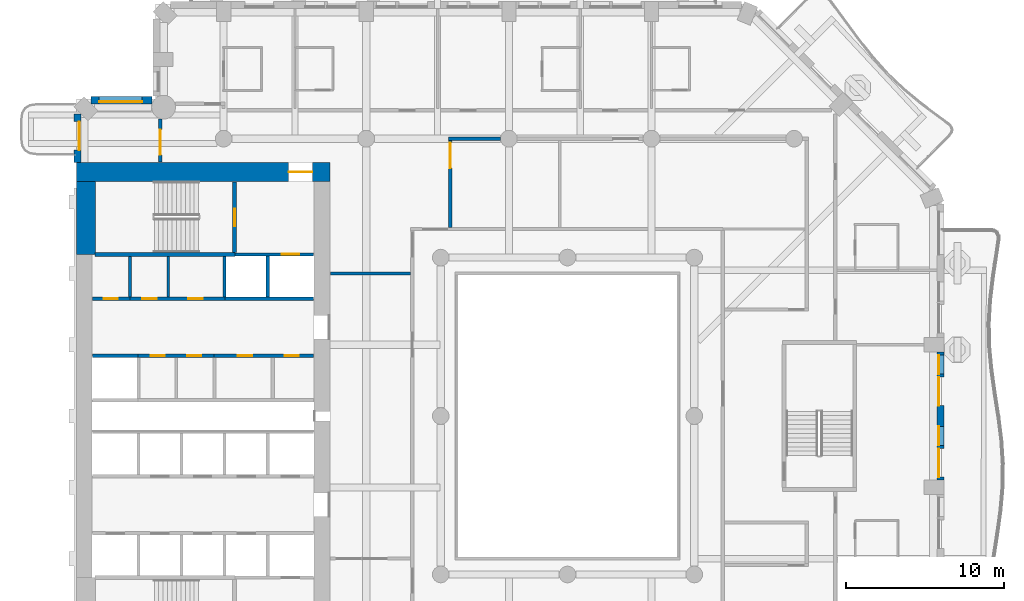
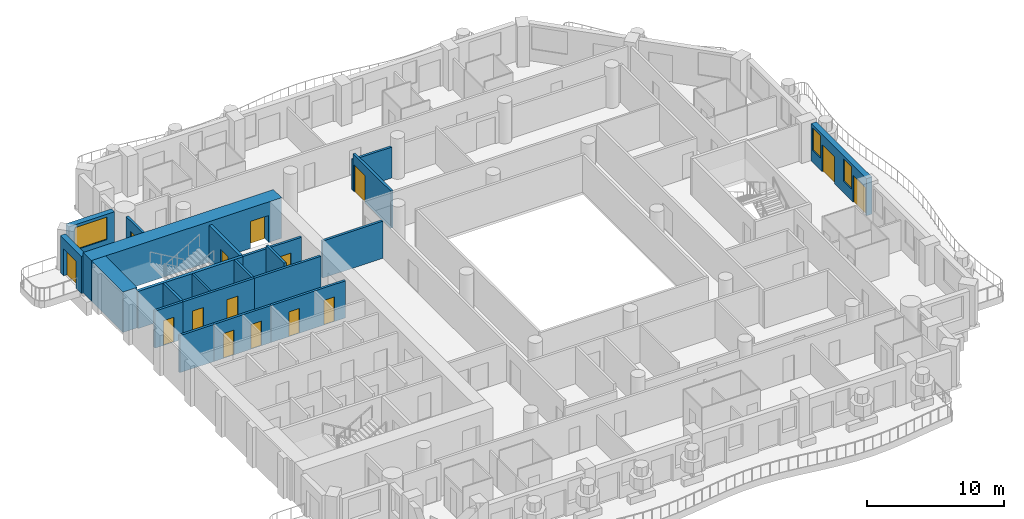
# One storey, part 7 of 20: 22 walls, 15 doors, 3 windows, 18 openings.
"""IFC4 building model written with IfcOpenShell, lengths in metres."""

from ifc_helpers import new_model, si_unit, direction, frame, frame_2d, origin, place, context, subcontext, project, spatial, rectangle, extrude, material, layer, layer_set, type_object, element, fill, save


model = new_model("IFC4")

# Units and contexts
model_context = context("Model", 3, precision=1e-05, world=origin(), true_north=direction((0.0, 1.0)))
body_context = subcontext(model_context, "Body", "Model", "MODEL_VIEW")
ifc_project = project(units=[si_unit("LENGTHUNIT", "METRE"), si_unit("AREAUNIT", "SQUARE_METRE"), si_unit("VOLUMEUNIT", "CUBIC_METRE"), si_unit("PLANEANGLEUNIT", "RADIAN"), si_unit("MASSUNIT", "GRAM", prefix="KILO")], contexts=[model_context])

# Site, building, storey
site_placement = place(None, origin())
site = spatial("IfcSite", under=ifc_project, at=site_placement, CompositionType="ELEMENT")
building_placement = place(site_placement, origin())
building = spatial("IfcBuilding", under=site, at=building_placement, Name="Cypress Arch Tower", CompositionType="ELEMENT")
storey_placement = place(building_placement, frame((0.0, 0.0, 123.89990234375)))
storey = spatial("IfcBuildingStorey", under=building, at=storey_placement, Name="L26", CompositionType="ELEMENT", Elevation=123.89990234375)

# Wall, opening, door
ifc_material_1 = material(Name="Brick (red buff blend)", Category="masonry")
ifc_layer_1 = layer(ifc_material_1, 0.449951171875)
ifc_layer_set_1 = layer_set([ifc_layer_1], Name="Brick pier and spandrel wall BW450")
wall_type_1 = type_object("IfcWallType", Name="Brick pier and spandrel wall BW450", PredefinedType="SOLIDWALL", material=ifc_layer_set_1)
wall_1_placement = place(storey_placement, frame((-29.925048828125, 19.063720703125, 0.0), z_axis=(0.0, 0.0, 1.0), x_axis=(0.0, -1.0, 0.0)))
wall_1 = element("IfcWall", 1, at=wall_1_placement, inside=storey, type_object=wall_type_1, Name="Brick wall L26 A00.0", PredefinedType="SOLIDWALL", context=body_context, shape_type="SweptSolid", body=[
    extrude(rectangle(XDim=3.063720703125, YDim=0.449951171875, at=frame_2d((1.53173828125, 0.0))), origin(), (0.0, 0.0, 1.0), 3.300048828125),
])
opening_1_placement = place(wall_1_placement, frame((0.481689453125, 0.0, 0.0)))
opening_1 = element("IfcOpeningElement", 2, at=opening_1_placement, cuts=wall_1, Name="Opening D-L26-A00.0.1", PredefinedType="OPENING", context=body_context, shape_type="SweptSolid", body=[
    extrude(rectangle(XDim=1.800048828125, YDim=2.39990234375, at=frame_2d((0.89990234375, 1.199951171875))), frame((0.0, 0.23486328125, 0.0), z_axis=(0.0, -1.0, 0.0), x_axis=(1.0, 0.0, 0.0)), (0.0, 0.0, 1.0), 0.469970703125),
])
ifc_material_2 = material(Name="Anodised aluminium, bronze finish, laminated low-emissivity double glazing, large-missile impact rated", Category="aluminium")
door_type_1 = type_object("IfcDoorType", Name="Balcony sliding door 1800x2400", OperationType="SLIDING_TO_LEFT", PredefinedType="DOOR", material=ifc_material_2)
door_1_placement = place(opening_1_placement, origin())
door_1 = element("IfcDoor", 3, at=door_1_placement, inside=storey, type_object=door_type_1, Name="Balcony door L26 A00.0.1", OperationType="SLIDING_TO_LEFT", OverallHeight=2.39990234375, OverallWidth=1.800048828125, PredefinedType="DOOR", context=body_context, shape_type="SweptSolid", body=[
    extrude(rectangle(XDim=1.800048828125, YDim=2.39990234375, at=frame_2d((0.89990234375, 1.199951171875))), frame((0.0, 0.1298828125, 0.0), z_axis=(0.0, -1.0, 0.0), x_axis=(1.0, 0.0, 0.0)), (0.0, 0.0, 1.0), 0.050048828125),
])
fill(opening_1, door_1)

# Wall, openings, doors, windows
wall_2_placement = place(storey_placement, frame((24.52490234375, -4.050048828125, 0.0), z_axis=(0.0, 0.0, 1.0), x_axis=(0.0, 1.0, 0.0)))
wall_2 = element("IfcWall", 4, at=wall_2_placement, inside=storey, type_object=wall_type_1, Name="Brick wall L26 A06.2", PredefinedType="SOLIDWALL", context=body_context, shape_type="SweptSolid", body=[
    extrude(rectangle(XDim=8.10009765625, YDim=0.449951171875, at=frame_2d((4.050048828125, 0.0))), origin(), (0.0, 0.0, 1.0), 3.300048828125),
])
opening_2_placement = place(wall_2_placement, frame((0.199951171875, 0.0, 0.0)))
opening_2 = element("IfcOpeningElement", 5, at=opening_2_placement, cuts=wall_2, Name="Opening D-L26-A06.2.1", PredefinedType="OPENING", context=body_context, shape_type="SweptSolid", body=[
    extrude(rectangle(XDim=1.800048828125, YDim=2.39990234375, at=frame_2d((0.89990234375, 1.199951171875))), frame((0.0, 0.23486328125, 0.0), z_axis=(0.0, -1.0, 0.0), x_axis=(1.0, 0.0, 0.0)), (0.0, 0.0, 1.0), 0.469970703125),
])
opening_3_placement = place(wall_2_placement, frame((2.199951171875, 0.0, 1.050048828125)))
opening_3 = element("IfcOpeningElement", 6, at=opening_3_placement, cuts=wall_2, Name="Opening W120HD", PredefinedType="OPENING", context=body_context, shape_type="SweptSolid", body=[
    extrude(rectangle(XDim=1.199951171875, YDim=2.0, at=frame_2d((0.60009765625, 1.0))), frame((0.0, 0.23486328125, 0.0), z_axis=(0.0, -1.0, 0.0), x_axis=(1.0, 0.0, 0.0)), (0.0, 0.0, 1.0), 0.469970703125),
])
opening_4_placement = place(wall_2_placement, frame((4.699951171875, 0.0, 0.0)))
opening_4 = element("IfcOpeningElement", 7, at=opening_4_placement, cuts=wall_2, Name="Opening D-L26-A06.2.2", PredefinedType="OPENING", context=body_context, shape_type="SweptSolid", body=[
    extrude(rectangle(XDim=1.800048828125, YDim=2.39990234375, at=frame_2d((0.89990234375, 1.199951171875))), frame((0.0, 0.23486328125, 0.0), z_axis=(0.0, -1.0, 0.0), x_axis=(1.0, 0.0, 0.0)), (0.0, 0.0, 1.0), 0.469970703125),
])
opening_5_placement = place(wall_2_placement, frame((6.699951171875, 0.0, 1.050048828125)))
opening_5 = element("IfcOpeningElement", 8, at=opening_5_placement, cuts=wall_2, Name="Opening W120HD", PredefinedType="OPENING", context=body_context, shape_type="SweptSolid", body=[
    extrude(rectangle(XDim=1.199951171875, YDim=2.0, at=frame_2d((0.60009765625, 1.0))), frame((0.0, 0.23486328125, 0.0), z_axis=(0.0, -1.0, 0.0), x_axis=(1.0, 0.0, 0.0)), (0.0, 0.0, 1.0), 0.469970703125),
])
door_2_placement = place(opening_2_placement, origin())
door_2 = element("IfcDoor", 9, at=door_2_placement, inside=storey, type_object=door_type_1, Name="Balcony door L26 A06.2.1", OperationType="SLIDING_TO_LEFT", OverallHeight=2.39990234375, OverallWidth=1.800048828125, PredefinedType="DOOR", context=body_context, shape_type="SweptSolid", body=[
    extrude(rectangle(XDim=1.800048828125, YDim=2.39990234375, at=frame_2d((0.89990234375, 1.199951171875))), frame((0.0, 0.1298828125, 0.0), z_axis=(0.0, -1.0, 0.0), x_axis=(1.0, 0.0, 0.0)), (0.0, 0.0, 1.0), 0.050048828125),
])
fill(opening_2, door_2)
door_3_placement = place(opening_4_placement, origin())
door_3 = element("IfcDoor", 10, at=door_3_placement, inside=storey, type_object=door_type_1, Name="Balcony door L26 A06.2.2", OperationType="SLIDING_TO_LEFT", OverallHeight=2.39990234375, OverallWidth=1.800048828125, PredefinedType="DOOR", context=body_context, shape_type="SweptSolid", body=[
    extrude(rectangle(XDim=1.800048828125, YDim=2.39990234375, at=frame_2d((0.89990234375, 1.199951171875))), frame((0.0, 0.1298828125, 0.0), z_axis=(0.0, -1.0, 0.0), x_axis=(1.0, 0.0, 0.0)), (0.0, 0.0, 1.0), 0.050048828125),
])
fill(opening_4, door_3)
ifc_material_3 = material(Name="Anodised aluminium, bronze finish, laminated low-emissivity double glazing, large-missile impact rated", Category="aluminium")
window_type_1 = type_object("IfcWindowType", Name="Window Hotel 1200x2000 debris-rated", PartitioningType="SINGLE_PANEL", PredefinedType="WINDOW", material=ifc_material_3)
window_1_placement = place(opening_3_placement, origin())
window_1 = element("IfcWindow", 11, at=window_1_placement, inside=storey, type_object=window_type_1, Name="Window L26 A06.2.1", OverallHeight=2.0, OverallWidth=1.199951171875, PartitioningType="SINGLE_PANEL", PredefinedType="WINDOW", context=body_context, shape_type="SweptSolid", body=[
    extrude(rectangle(XDim=1.199951171875, YDim=2.0, at=frame_2d((0.60009765625, 1.0))), frame((0.0, 0.135009765625, 0.0), z_axis=(0.0, -1.0, 0.0), x_axis=(1.0, 0.0, 0.0)), (0.0, 0.0, 1.0), 0.06005859375),
])
fill(opening_3, window_1)
window_2_placement = place(opening_5_placement, origin())
window_2 = element("IfcWindow", 12, at=window_2_placement, inside=storey, type_object=window_type_1, Name="Window L26 A06.2.2", OverallHeight=2.0, OverallWidth=1.199951171875, PartitioningType="SINGLE_PANEL", PredefinedType="WINDOW", context=body_context, shape_type="SweptSolid", body=[
    extrude(rectangle(XDim=1.199951171875, YDim=2.0, at=frame_2d((0.60009765625, 1.0))), frame((0.0, 0.135009765625, 0.0), z_axis=(0.0, -1.0, 0.0), x_axis=(1.0, 0.0, 0.0)), (0.0, 0.0, 1.0), 0.06005859375),
])
fill(opening_5, window_2)

# Wall, opening, window
wall_3_placement = place(storey_placement, frame((-25.20703125, 19.925048828125, 0.0), z_axis=(0.0, 0.0, 1.0), x_axis=(-1.0, 0.0, 0.0)))
wall_3 = element("IfcWall", 13, at=wall_3_placement, inside=storey, type_object=wall_type_1, Name="Brick wall L26 A10.0", PredefinedType="SOLIDWALL", context=body_context, shape_type="SweptSolid", body=[
    extrude(rectangle(XDim=3.856689453125, YDim=0.449951171875, at=frame_2d((1.92822265625, 0.0))), origin(), (0.0, 0.0, 1.0), 3.300048828125),
])
opening_6_placement = place(wall_3_placement, frame((0.64306640625, 0.0, 1.050048828125)))
opening_6 = element("IfcOpeningElement", 14, at=opening_6_placement, cuts=wall_3, Name="Opening W270H", PredefinedType="OPENING", context=body_context, shape_type="SweptSolid", body=[
    extrude(rectangle(XDim=2.699951171875, YDim=2.0, at=frame_2d((1.35009765625, 1.0))), frame((0.0, 0.23486328125, 0.0), z_axis=(0.0, -1.0, 0.0), x_axis=(1.0, 0.0, 0.0)), (0.0, 0.0, 1.0), 0.469970703125),
])
ifc_material_4 = material(Name="Anodised aluminium, bronze finish, clear low-emissivity double glazing", Category="aluminium")
window_type_2 = type_object("IfcWindowType", Name="Window Hotel 2700x2000", PartitioningType="SINGLE_PANEL", PredefinedType="WINDOW", material=ifc_material_4)
window_3_placement = place(opening_6_placement, origin())
window_3 = element("IfcWindow", 15, at=window_3_placement, inside=storey, type_object=window_type_2, Name="Window L26 A10.0.1", OverallHeight=2.0, OverallWidth=2.699951171875, PartitioningType="SINGLE_PANEL", PredefinedType="WINDOW", context=body_context, shape_type="SweptSolid", body=[
    extrude(rectangle(XDim=2.699951171875, YDim=2.0, at=frame_2d((1.35009765625, 1.0))), frame((0.0, 0.135009765625, 0.0), z_axis=(0.0, -1.0, 0.0), x_axis=(1.0, 0.0, 0.0)), (0.0, 0.0, 1.0), 0.06005859375),
])
fill(opening_6, window_3)

# Wall, opening, door
ifc_material_5 = material(Name="Concrete C80/95", Category="concrete")
ifc_layer_2 = layer(ifc_material_5, 1.199951171875)
ifc_layer_set_2 = layer_set([ifc_layer_2], Name="Core wall CW1200 C80/95")
wall_type_2 = type_object("IfcWallType", Name="Core wall CW1200 C80/95", PredefinedType="SHEAR", material=ifc_layer_set_2)
wall_4_placement = place(storey_placement, frame((-30.0, 15.39990234375, 0.0), z_axis=(0.0, 0.0, 1.0), x_axis=(1.0, 0.0, 0.0)))
wall_4 = element("IfcWall", 16, at=wall_4_placement, inside=storey, type_object=wall_type_2, Name="Core wall", PredefinedType="SHEAR", context=body_context, shape_type="SweptSolid", body=[
    extrude(rectangle(XDim=16.0, YDim=1.199951171875, at=frame_2d((8.0, 0.0))), origin(), (0.0, 0.0, 1.0), 3.60009765625),
])
opening_7_placement = place(wall_4_placement, frame((13.39990234375, 0.0, 0.0)))
opening_7 = element("IfcOpeningElement", 17, at=opening_7_placement, cuts=wall_4, Name="Opening D07", PredefinedType="OPENING", context=body_context, shape_type="SweptSolid", body=[
    extrude(rectangle(XDim=1.5, YDim=2.39990234375, at=frame_2d((0.75, 1.199951171875))), frame((0.0, 0.60986328125, 0.0), z_axis=(0.0, -1.0, 0.0), x_axis=(1.0, 0.0, 0.0)), (0.0, 0.0, 1.0), 1.219970703125),
])
ifc_material_6 = material(Name="Steel framed glazed door, fire resisting", Category="steel")
door_type_2 = type_object("IfcDoorType", Name="Lobby door D07 1500x2400", OperationType="DOUBLE_DOOR_SINGLE_SWING", PredefinedType="DOOR", material=ifc_material_6)
door_4_placement = place(opening_7_placement, origin())
door_4 = element("IfcDoor", 18, at=door_4_placement, inside=storey, type_object=door_type_2, Name="Lobby door", OperationType="DOUBLE_DOOR_SINGLE_SWING", OverallHeight=2.39990234375, OverallWidth=1.5, PredefinedType="DOOR", context=body_context, shape_type="SweptSolid", body=[
    extrude(rectangle(XDim=1.5, YDim=2.39990234375, at=frame_2d((0.75, 1.199951171875))), frame((0.0, 0.02490234375, 0.0), z_axis=(0.0, -1.0, 0.0), x_axis=(1.0, 0.0, 0.0)), (0.0, 0.0, 1.0), 0.050048828125),
])
fill(opening_7, door_4)

# Wall
wall_5_placement = place(storey_placement, frame((-29.39990234375, 10.199951171875, 0.0), z_axis=(0.0, 0.0, 1.0), x_axis=(0.0, 1.0, 0.0)))
element("IfcWall", 19, at=wall_5_placement, inside=storey, type_object=wall_type_2, Name="Core wall", PredefinedType="SHEAR", context=body_context, shape_type="SweptSolid", body=[
    extrude(rectangle(XDim=4.60009765625, YDim=1.199951171875, at=frame_2d((2.300048828125, 0.0))), origin(), (0.0, 0.0, 1.0), 3.60009765625),
])

# Wall, openings, doors
ifc_material_7 = material(Name="Concrete blockwork, plastered, rated", Category="masonry")
ifc_layer_3 = layer(ifc_material_7, 0.199951171875)
ifc_layer_set_3 = layer_set([ifc_layer_3], Name="Corridor wall FW200")
wall_type_3 = type_object("IfcWallType", Name="Corridor wall FW200", PredefinedType="PARTITIONING", material=ifc_layer_set_3)
wall_6_placement = place(storey_placement, frame((-26.6201171875, 7.39990234375, 0.0), z_axis=(0.0, 0.0, 1.0), x_axis=(1.0, 0.0, 0.0)))
wall_6 = element("IfcWall", 20, at=wall_6_placement, inside=storey, type_object=wall_type_3, Name="Corridor wall", PredefinedType="PARTITIONING", context=body_context, shape_type="SweptSolid", body=[
    extrude(rectangle(XDim=6.0, YDim=0.199951171875, at=frame_2d((3.0, 0.0))), origin(), (0.0, 0.0, 1.0), 3.300048828125),
])
opening_8_placement = place(wall_6_placement, frame((0.800048828125, 0.0, 0.0)))
opening_8 = element("IfcOpeningElement", 21, at=opening_8_placement, cuts=wall_6, Name="Opening D05", PredefinedType="OPENING", context=body_context, shape_type="SweptSolid", body=[
    extrude(rectangle(XDim=0.89990234375, YDim=2.199951171875, at=frame_2d((0.449951171875, 1.10009765625))), frame((0.0, 0.10986328125, 0.0), z_axis=(0.0, -1.0, 0.0), x_axis=(1.0, 0.0, 0.0)), (0.0, 0.0, 1.0), 0.219970703125),
])
opening_9_placement = place(wall_6_placement, frame((3.699951171875, 0.0, 0.0)))
opening_9 = element("IfcOpeningElement", 22, at=opening_9_placement, cuts=wall_6, Name="Opening D05", PredefinedType="OPENING", context=body_context, shape_type="SweptSolid", body=[
    extrude(rectangle(XDim=0.89990234375, YDim=2.199951171875, at=frame_2d((0.449951171875, 1.10009765625))), frame((0.0, 0.10986328125, 0.0), z_axis=(0.0, -1.0, 0.0), x_axis=(1.0, 0.0, 0.0)), (0.0, 0.0, 1.0), 0.219970703125),
])
ifc_material_8 = material(Name="Timber flush door", Category="wood")
door_type_3 = type_object("IfcDoorType", Name="Service door D05 900x2200", OperationType="SINGLE_SWING_LEFT", PredefinedType="DOOR", material=ifc_material_8)
door_5_placement = place(opening_8_placement, origin())
door_5 = element("IfcDoor", 23, at=door_5_placement, inside=storey, type_object=door_type_3, Name="Service door", OperationType="SINGLE_SWING_RIGHT", OverallHeight=2.199951171875, OverallWidth=0.89990234375, PredefinedType="DOOR", context=body_context, shape_type="SweptSolid", body=[
    extrude(rectangle(XDim=0.89990234375, YDim=2.199951171875, at=frame_2d((0.449951171875, 1.10009765625))), frame((0.0, 0.02490234375, 0.0), z_axis=(0.0, -1.0, 0.0), x_axis=(1.0, 0.0, 0.0)), (0.0, 0.0, 1.0), 0.050048828125),
])
fill(opening_8, door_5)
door_6_placement = place(opening_9_placement, origin())
door_6 = element("IfcDoor", 24, at=door_6_placement, inside=storey, type_object=door_type_3, Name="Service door", OperationType="SINGLE_SWING_LEFT", OverallHeight=2.199951171875, OverallWidth=0.89990234375, PredefinedType="DOOR", context=body_context, shape_type="SweptSolid", body=[
    extrude(rectangle(XDim=0.89990234375, YDim=2.199951171875, at=frame_2d((0.449951171875, 1.10009765625))), frame((0.0, 0.02490234375, 0.0), z_axis=(0.0, -1.0, 0.0), x_axis=(1.0, 0.0, 0.0)), (0.0, 0.0, 1.0), 0.050048828125),
])
fill(opening_9, door_6)

wall_7_placement = place(storey_placement, frame((-26.10009765625, 3.800048828125, 0.0), z_axis=(0.0, 0.0, 1.0), x_axis=(1.0, 0.0, 0.0)))
wall_7 = element("IfcWall", 25, at=wall_7_placement, inside=storey, type_object=wall_type_3, Name="Corridor wall", PredefinedType="PARTITIONING", context=body_context, shape_type="SweptSolid", body=[
    extrude(rectangle(XDim=4.800048828125, YDim=0.199951171875, at=frame_2d((2.39990234375, 0.0))), origin(), (0.0, 0.0, 1.0), 3.300048828125),
])
opening_10_placement = place(wall_7_placement, frame((0.800048828125, 0.0, 0.0)))
opening_10 = element("IfcOpeningElement", 26, at=opening_10_placement, cuts=wall_7, Name="Opening D05", PredefinedType="OPENING", context=body_context, shape_type="SweptSolid", body=[
    extrude(rectangle(XDim=0.89990234375, YDim=2.199951171875, at=frame_2d((0.449951171875, 1.10009765625))), frame((0.0, 0.10986328125, 0.0), z_axis=(0.0, -1.0, 0.0), x_axis=(1.0, 0.0, 0.0)), (0.0, 0.0, 1.0), 0.219970703125),
])
opening_11_placement = place(wall_7_placement, frame((3.10009765625, 0.0, 0.0)))
opening_11 = element("IfcOpeningElement", 27, at=opening_11_placement, cuts=wall_7, Name="Opening D05", PredefinedType="OPENING", context=body_context, shape_type="SweptSolid", body=[
    extrude(rectangle(XDim=0.89990234375, YDim=2.199951171875, at=frame_2d((0.449951171875, 1.10009765625))), frame((0.0, 0.10986328125, 0.0), z_axis=(0.0, -1.0, 0.0), x_axis=(1.0, 0.0, 0.0)), (0.0, 0.0, 1.0), 0.219970703125),
])
door_7_placement = place(opening_10_placement, origin())
door_7 = element("IfcDoor", 28, at=door_7_placement, inside=storey, type_object=door_type_3, Name="Service door", OperationType="SINGLE_SWING_LEFT", OverallHeight=2.199951171875, OverallWidth=0.89990234375, PredefinedType="DOOR", context=body_context, shape_type="SweptSolid", body=[
    extrude(rectangle(XDim=0.89990234375, YDim=2.199951171875, at=frame_2d((0.449951171875, 1.10009765625))), frame((0.0, 0.02490234375, 0.0), z_axis=(0.0, -1.0, 0.0), x_axis=(1.0, 0.0, 0.0)), (0.0, 0.0, 1.0), 0.050048828125),
])
fill(opening_10, door_7)
door_8_placement = place(opening_11_placement, origin())
door_8 = element("IfcDoor", 29, at=door_8_placement, inside=storey, type_object=door_type_3, Name="Service door", OperationType="SINGLE_SWING_RIGHT", OverallHeight=2.199951171875, OverallWidth=0.89990234375, PredefinedType="DOOR", context=body_context, shape_type="SweptSolid", body=[
    extrude(rectangle(XDim=0.89990234375, YDim=2.199951171875, at=frame_2d((0.449951171875, 1.10009765625))), frame((0.0, 0.02490234375, 0.0), z_axis=(0.0, -1.0, 0.0), x_axis=(1.0, 0.0, 0.0)), (0.0, 0.0, 1.0), 0.050048828125),
])
fill(opening_11, door_8)

# Wall, opening, door
wall_8_placement = place(storey_placement, frame((-24.699951171875, 16.030029296875, 0.0), z_axis=(0.0, 0.0, 1.0), x_axis=(0.0, 1.0, 0.0)))
wall_8 = element("IfcWall", 30, at=wall_8_placement, inside=storey, type_object=wall_type_3, Name="Corridor wall", PredefinedType="PARTITIONING", context=body_context, shape_type="SweptSolid", body=[
    extrude(rectangle(XDim=2.72216796875, YDim=0.199951171875, at=frame_2d((1.361083984375, 0.0))), origin(), (0.0, 0.0, 1.0), 3.300048828125),
])
opening_12_placement = place(wall_8_placement, frame((0.449951171875, 0.0, 0.0)))
opening_12 = element("IfcOpeningElement", 31, at=opening_12_placement, cuts=wall_8, Name="Opening D10", PredefinedType="OPENING", context=body_context, shape_type="SweptSolid", body=[
    extrude(rectangle(XDim=1.60009765625, YDim=2.39990234375, at=frame_2d((0.800048828125, 1.199951171875))), frame((0.0, 0.10986328125, 0.0), z_axis=(0.0, -1.0, 0.0), x_axis=(1.0, 0.0, 0.0)), (0.0, 0.0, 1.0), 0.219970703125),
])
ifc_material_9 = material(Name="Black aluminium glazed door", Category="aluminium")
door_type_4 = type_object("IfcDoorType", Name="Amenity door D10 1600x2400", OperationType="DOUBLE_DOOR_SINGLE_SWING", PredefinedType="DOOR", material=ifc_material_9)
door_9_placement = place(opening_12_placement, origin())
door_9 = element("IfcDoor", 32, at=door_9_placement, inside=storey, type_object=door_type_4, Name="Amenity door", OperationType="DOUBLE_DOOR_SINGLE_SWING", OverallHeight=2.39990234375, OverallWidth=1.60009765625, PredefinedType="DOOR", context=body_context, shape_type="SweptSolid", body=[
    extrude(rectangle(XDim=1.60009765625, YDim=2.39990234375, at=frame_2d((0.800048828125, 1.199951171875))), frame((0.0, 0.02490234375, 0.0), z_axis=(0.0, -1.0, 0.0), x_axis=(1.0, 0.0, 0.0)), (0.0, 0.0, 1.0), 0.050048828125),
])
fill(opening_12, door_9)

# Wall
wall_9_placement = place(storey_placement, frame((-13.969970703125, 9.0, 0.0), z_axis=(0.0, 0.0, 1.0), x_axis=(1.0, 0.0, 0.0)))
element("IfcWall", 33, at=wall_9_placement, inside=storey, type_object=wall_type_3, Name="Corridor wall", PredefinedType="PARTITIONING", context=body_context, shape_type="SweptSolid", body=[
    extrude(rectangle(XDim=5.070068359375, YDim=0.199951171875, at=frame_2d((2.53515625, 0.0))), origin(), (0.0, 0.0, 1.0), 3.300048828125),
])

# Wall, opening, door
wall_10_placement = place(storey_placement, frame((-6.39990234375, 11.89990234375, 0.0), z_axis=(0.0, 0.0, 1.0), x_axis=(0.0, 1.0, 0.0)))
wall_10 = element("IfcWall", 34, at=wall_10_placement, inside=storey, type_object=wall_type_3, Name="Corridor wall", PredefinedType="PARTITIONING", context=body_context, shape_type="SweptSolid", body=[
    extrude(rectangle(XDim=5.5, YDim=0.199951171875, at=frame_2d((2.75, 0.0))), origin(), (0.0, 0.0, 1.0), 3.300048828125),
])
opening_13_placement = place(wall_10_placement, frame((3.75, 0.0, 0.0)))
opening_13 = element("IfcOpeningElement", 35, at=opening_13_placement, cuts=wall_10, Name="Opening D10", PredefinedType="OPENING", context=body_context, shape_type="SweptSolid", body=[
    extrude(rectangle(XDim=1.60009765625, YDim=2.39990234375, at=frame_2d((0.800048828125, 1.199951171875))), frame((0.0, 0.10986328125, 0.0), z_axis=(0.0, -1.0, 0.0), x_axis=(1.0, 0.0, 0.0)), (0.0, 0.0, 1.0), 0.219970703125),
])
door_10_placement = place(opening_13_placement, origin())
door_10 = element("IfcDoor", 36, at=door_10_placement, inside=storey, type_object=door_type_4, Name="Amenity door", OperationType="DOUBLE_DOOR_SINGLE_SWING", OverallHeight=2.39990234375, OverallWidth=1.60009765625, PredefinedType="DOOR", context=body_context, shape_type="SweptSolid", body=[
    extrude(rectangle(XDim=1.60009765625, YDim=2.39990234375, at=frame_2d((0.800048828125, 1.199951171875))), frame((0.0, 0.02490234375, 0.0), z_axis=(0.0, -1.0, 0.0), x_axis=(1.0, 0.0, 0.0)), (0.0, 0.0, 1.0), 0.050048828125),
])
fill(opening_13, door_10)

# Walls
wall_11_placement = place(storey_placement, frame((-6.5, 17.5, 0.0), z_axis=(0.0, 0.0, 1.0), x_axis=(1.0, 0.0, 0.0)))
element("IfcWall", 37, at=wall_11_placement, inside=storey, type_object=wall_type_3, Name="Corridor wall", PredefinedType="PARTITIONING", context=body_context, shape_type="SweptSolid", body=[
    extrude(rectangle(XDim=3.27490234375, YDim=0.199951171875, at=frame_2d((1.637451171875, 0.0))), origin(), (0.0, 0.0, 1.0), 2.75),
])
ifc_material_10 = material(Name="Blockwork, plastered both sides", Category="masonry")
ifc_layer_4 = layer(ifc_material_10, 0.14990234375)
ifc_layer_set_4 = layer_set([ifc_layer_4], Name="Partition PW150")
wall_type_4 = type_object("IfcWallType", Name="Partition PW150", PredefinedType="PARTITIONING", material=ifc_layer_set_4)
wall_12_placement = place(storey_placement, frame((-24.199951171875, 7.5, 0.0), z_axis=(0.0, 0.0, 1.0), x_axis=(0.0, 1.0, 0.0)))
element("IfcWall", 38, at=wall_12_placement, inside=storey, type_object=wall_type_4, Name="Partition", PredefinedType="PARTITIONING", context=body_context, shape_type="SweptSolid", body=[
    extrude(rectangle(XDim=2.574951171875, YDim=0.14990234375, at=frame_2d((1.28759765625, 0.0))), origin(), (0.0, 0.0, 1.0), 3.300048828125),
])

# Wall, opening, door
ifc_material_11 = material(Name="Reinforced blockwork, plastered, rated", Category="masonry")
ifc_layer_5 = layer(ifc_material_11, 0.199951171875)
ifc_layer_set_5 = layer_set([ifc_layer_5], Name="Plant and riser wall PL200")
wall_type_5 = type_object("IfcWallType", Name="Plant and riser wall PL200", PredefinedType="PARTITIONING", material=ifc_layer_set_5)
wall_13_placement = place(storey_placement, frame((-28.969970703125, 7.39990234375, 0.0), z_axis=(0.0, 0.0, 1.0), x_axis=(1.0, 0.0, 0.0)))
wall_13 = element("IfcWall", 39, at=wall_13_placement, inside=storey, type_object=wall_type_5, Name="Plant and riser wall", PredefinedType="PARTITIONING", context=body_context, shape_type="SweptSolid", body=[
    extrude(rectangle(XDim=2.349853515625, YDim=0.199951171875, at=frame_2d((1.1748046875, 0.0))), origin(), (0.0, 0.0, 1.0), 3.300048828125),
])
opening_14_placement = place(wall_13_placement, frame((0.699951171875, 0.0, 0.0)))
opening_14 = element("IfcOpeningElement", 40, at=opening_14_placement, cuts=wall_13, Name="Opening D05", PredefinedType="OPENING", context=body_context, shape_type="SweptSolid", body=[
    extrude(rectangle(XDim=0.89990234375, YDim=2.199951171875, at=frame_2d((0.449951171875, 1.10009765625))), frame((0.0, 0.10986328125, 0.0), z_axis=(0.0, -1.0, 0.0), x_axis=(1.0, 0.0, 0.0)), (0.0, 0.0, 1.0), 0.219970703125),
])
door_11_placement = place(opening_14_placement, origin())
door_11 = element("IfcDoor", 41, at=door_11_placement, inside=storey, type_object=door_type_3, Name="Service door", OperationType="SINGLE_SWING_RIGHT", OverallHeight=2.199951171875, OverallWidth=0.89990234375, PredefinedType="DOOR", context=body_context, shape_type="SweptSolid", body=[
    extrude(rectangle(XDim=0.89990234375, YDim=2.199951171875, at=frame_2d((0.449951171875, 1.10009765625))), frame((0.0, 0.02490234375, 0.0), z_axis=(0.0, -1.0, 0.0), x_axis=(1.0, 0.0, 0.0)), (0.0, 0.0, 1.0), 0.050048828125),
])
fill(opening_14, door_11)

# Wall
wall_14_placement = place(storey_placement, frame((-26.60009765625, 7.5, 0.0), z_axis=(0.0, 0.0, 1.0), x_axis=(0.0, 1.0, 0.0)))
element("IfcWall", 42, at=wall_14_placement, inside=storey, type_object=wall_type_5, Name="Plant and riser wall", PredefinedType="PARTITIONING", context=body_context, shape_type="SweptSolid", body=[
    extrude(rectangle(XDim=2.574951171875, YDim=0.199951171875, at=frame_2d((1.28759765625, 0.0))), origin(), (0.0, 0.0, 1.0), 3.300048828125),
])

# Wall, openings, doors
wall_15_placement = place(storey_placement, frame((-21.300048828125, 3.800048828125, 0.0), z_axis=(0.0, 0.0, 1.0), x_axis=(1.0, 0.0, 0.0)))
wall_15 = element("IfcWall", 43, at=wall_15_placement, inside=storey, type_object=wall_type_5, Name="Plant and riser wall", PredefinedType="PARTITIONING", context=body_context, shape_type="SweptSolid", body=[
    extrude(rectangle(XDim=6.27001953125, YDim=0.199951171875, at=frame_2d((3.135009765625, 0.0))), origin(), (0.0, 0.0, 1.0), 3.300048828125),
])
opening_15_placement = place(wall_15_placement, frame((1.5, 0.0, 0.0)))
opening_15 = element("IfcOpeningElement", 44, at=opening_15_placement, cuts=wall_15, Name="Opening D05", PredefinedType="OPENING", context=body_context, shape_type="SweptSolid", body=[
    extrude(rectangle(XDim=0.89990234375, YDim=2.199951171875, at=frame_2d((0.449951171875, 1.10009765625))), frame((0.0, 0.10986328125, 0.0), z_axis=(0.0, -1.0, 0.0), x_axis=(1.0, 0.0, 0.0)), (0.0, 0.0, 1.0), 0.219970703125),
])
opening_16_placement = place(wall_15_placement, frame((4.449951171875, 0.0, 0.0)))
opening_16 = element("IfcOpeningElement", 45, at=opening_16_placement, cuts=wall_15, Name="Opening D05", PredefinedType="OPENING", context=body_context, shape_type="SweptSolid", body=[
    extrude(rectangle(XDim=0.89990234375, YDim=2.199951171875, at=frame_2d((0.449951171875, 1.10009765625))), frame((0.0, 0.10986328125, 0.0), z_axis=(0.0, -1.0, 0.0), x_axis=(1.0, 0.0, 0.0)), (0.0, 0.0, 1.0), 0.219970703125),
])
door_12_placement = place(opening_15_placement, origin())
door_12 = element("IfcDoor", 46, at=door_12_placement, inside=storey, type_object=door_type_3, Name="Service door", OperationType="SINGLE_SWING_LEFT", OverallHeight=2.199951171875, OverallWidth=0.89990234375, PredefinedType="DOOR", context=body_context, shape_type="SweptSolid", body=[
    extrude(rectangle(XDim=0.89990234375, YDim=2.199951171875, at=frame_2d((0.449951171875, 1.10009765625))), frame((0.0, 0.02490234375, 0.0), z_axis=(0.0, -1.0, 0.0), x_axis=(1.0, 0.0, 0.0)), (0.0, 0.0, 1.0), 0.050048828125),
])
fill(opening_15, door_12)
door_13_placement = place(opening_16_placement, origin())
door_13 = element("IfcDoor", 47, at=door_13_placement, inside=storey, type_object=door_type_3, Name="Service door", OperationType="SINGLE_SWING_RIGHT", OverallHeight=2.199951171875, OverallWidth=0.89990234375, PredefinedType="DOOR", context=body_context, shape_type="SweptSolid", body=[
    extrude(rectangle(XDim=0.89990234375, YDim=2.199951171875, at=frame_2d((0.449951171875, 1.10009765625))), frame((0.0, 0.02490234375, 0.0), z_axis=(0.0, -1.0, 0.0), x_axis=(1.0, 0.0, 0.0)), (0.0, 0.0, 1.0), 0.050048828125),
])
fill(opening_16, door_13)

# Walls
ifc_material_12 = material(Name="Concrete C50/60", Category="concrete")
ifc_layer_6 = layer(ifc_material_12, 0.199951171875)
ifc_layer_set_6 = layer_set([ifc_layer_6], Name="Shaft wall SH200")
wall_type_6 = type_object("IfcWallType", Name="Shaft wall SH200", PredefinedType="SHEAR", material=ifc_layer_set_6)
wall_16_placement = place(storey_placement, frame((-28.969970703125, 3.800048828125, 0.0), z_axis=(0.0, 0.0, 1.0), x_axis=(1.0, 0.0, 0.0)))
element("IfcWall", 48, at=wall_16_placement, inside=storey, type_object=wall_type_6, Name="Shaft wall", PredefinedType="SHEAR", context=body_context, shape_type="SweptSolid", body=[
    extrude(rectangle(XDim=2.869873046875, YDim=0.199951171875, at=frame_2d((1.43505859375, 0.0))), origin(), (0.0, 0.0, 1.0), 3.300048828125),
])
wall_17_placement = place(storey_placement, frame((-20.639892578125, 7.5, 0.0), z_axis=(0.0, 0.0, 1.0), x_axis=(0.0, 1.0, 0.0)))
element("IfcWall", 49, at=wall_17_placement, inside=storey, type_object=wall_type_6, Name="Shaft wall", PredefinedType="SHEAR", context=body_context, shape_type="SweptSolid", body=[
    extrude(rectangle(XDim=2.574951171875, YDim=0.199951171875, at=frame_2d((1.28759765625, 0.0))), origin(), (0.0, 0.0, 1.0), 3.300048828125),
])
wall_18_placement = place(storey_placement, frame((-20.6201171875, 7.39990234375, 0.0), z_axis=(0.0, 0.0, 1.0), x_axis=(1.0, 0.0, 0.0)))
element("IfcWall", 50, at=wall_18_placement, inside=storey, type_object=wall_type_6, Name="Shaft wall", PredefinedType="SHEAR", context=body_context, shape_type="SweptSolid", body=[
    extrude(rectangle(XDim=5.590087890625, YDim=0.199951171875, at=frame_2d((2.794921875, 0.0))), origin(), (0.0, 0.0, 1.0), 3.300048828125),
])

# Wall, opening, door
wall_19_placement = place(storey_placement, frame((-19.97998046875, 10.199951171875, 0.0), z_axis=(0.0, 0.0, 1.0), x_axis=(1.0, 0.0, 0.0)))
wall_19 = element("IfcWall", 51, at=wall_19_placement, inside=storey, type_object=wall_type_6, Name="Shaft wall", PredefinedType="SHEAR", context=body_context, shape_type="SweptSolid", body=[
    extrude(rectangle(XDim=4.949951171875, YDim=0.199951171875, at=frame_2d((2.47509765625, 0.0))), origin(), (0.0, 0.0, 1.0), 3.300048828125),
])
opening_17_placement = place(wall_19_placement, frame((2.949951171875, 0.0, 0.0)))
opening_17 = element("IfcOpeningElement", 52, at=opening_17_placement, cuts=wall_19, Name="Opening LD-FL2", PredefinedType="OPENING", context=body_context, shape_type="SweptSolid", body=[
    extrude(rectangle(XDim=1.10009765625, YDim=2.199951171875, at=frame_2d((0.550048828125, 1.10009765625))), frame((0.0, 0.10986328125, 0.0), z_axis=(0.0, -1.0, 0.0), x_axis=(1.0, 0.0, 0.0)), (0.0, 0.0, 1.0), 0.219970703125),
])
ifc_material_13 = material(Name="Stainless steel centre-opening landing door, rated", Category="steel")
door_type_5 = type_object("IfcDoorType", Name="Lift landing door LD 1100x2200", OperationType="DOUBLE_DOOR_SLIDING", PredefinedType="DOOR", material=ifc_material_13)
door_14_placement = place(opening_17_placement, origin())
door_14 = element("IfcDoor", 53, at=door_14_placement, inside=storey, type_object=door_type_5, Name="Lift landing doors FL2", OperationType="DOUBLE_DOOR_SLIDING", OverallHeight=2.199951171875, OverallWidth=1.10009765625, PredefinedType="DOOR", context=body_context, shape_type="SweptSolid", body=[
    extrude(rectangle(XDim=1.10009765625, YDim=2.199951171875, at=frame_2d((0.550048828125, 1.10009765625))), frame((0.0, 0.02490234375, 0.0), z_axis=(0.0, -1.0, 0.0), x_axis=(1.0, 0.0, 0.0)), (0.0, 0.0, 1.0), 0.050048828125),
])
fill(opening_17, door_14)

# Walls
wall_20_placement = place(storey_placement, frame((-17.919921875, 7.5, 0.0), z_axis=(0.0, 0.0, 1.0), x_axis=(0.0, 1.0, 0.0)))
element("IfcWall", 54, at=wall_20_placement, inside=storey, type_object=wall_type_6, Name="Shaft wall", PredefinedType="SHEAR", context=body_context, shape_type="SweptSolid", body=[
    extrude(rectangle(XDim=2.60009765625, YDim=0.199951171875, at=frame_2d((1.300048828125, 0.0))), origin(), (0.0, 0.0, 1.0), 3.60009765625),
])
ifc_material_14 = material(Name="Concrete C50/60", Category="concrete")
ifc_layer_7 = layer(ifc_material_14, 0.25)
ifc_layer_set_7 = layer_set([ifc_layer_7], Name="Stair enclosure wall SW250")
wall_type_7 = type_object("IfcWallType", Name="Stair enclosure wall SW250", PredefinedType="SHEAR", material=ifc_layer_set_7)
wall_21_placement = place(storey_placement, frame((-28.81005859375, 10.199951171875, 0.0), z_axis=(0.0, 0.0, 1.0), x_axis=(1.0, 0.0, 0.0)))
element("IfcWall", 55, at=wall_21_placement, inside=storey, type_object=wall_type_7, Name="Stair enclosure wall", PredefinedType="SHEAR", context=body_context, shape_type="SweptSolid", body=[
    extrude(rectangle(XDim=8.830078125, YDim=0.25, at=frame_2d((4.4150390625, 0.0))), origin(), (0.0, 0.0, 1.0), 3.300048828125),
])

# Wall, opening, door
wall_22_placement = place(storey_placement, frame((-20.0, 10.324951171875, 0.0), z_axis=(0.0, 0.0, 1.0), x_axis=(0.0, 1.0, 0.0)))
wall_22 = element("IfcWall", 56, at=wall_22_placement, inside=storey, type_object=wall_type_7, Name="Stair enclosure wall", PredefinedType="SHEAR", context=body_context, shape_type="SweptSolid", body=[
    extrude(rectangle(XDim=4.445068359375, YDim=0.25, at=frame_2d((2.22265625, 0.0))), origin(), (0.0, 0.0, 1.0), 3.300048828125),
])
opening_18_placement = place(wall_22_placement, frame((1.64990234375, 0.0, 0.0)))
opening_18 = element("IfcOpeningElement", 57, at=opening_18_placement, cuts=wall_22, Name="Opening D06", PredefinedType="OPENING", context=body_context, shape_type="SweptSolid", body=[
    extrude(rectangle(XDim=1.10009765625, YDim=2.199951171875, at=frame_2d((0.550048828125, 1.10009765625))), frame((0.0, 0.135009765625, 0.0), z_axis=(0.0, -1.0, 0.0), x_axis=(1.0, 0.0, 0.0)), (0.0, 0.0, 1.0), 0.27001953125),
])
ifc_material_15 = material(Name="Steel door, fire resisting, panic bar", Category="steel")
door_type_6 = type_object("IfcDoorType", Name="Stair door D06 1100x2200", OperationType="SINGLE_SWING_LEFT", PredefinedType="DOOR", material=ifc_material_15)
door_15_placement = place(opening_18_placement, origin())
door_15 = element("IfcDoor", 58, at=door_15_placement, inside=storey, type_object=door_type_6, Name="Stair door", OperationType="SINGLE_SWING_LEFT", OverallHeight=2.199951171875, OverallWidth=1.10009765625, PredefinedType="DOOR", context=body_context, shape_type="SweptSolid", body=[
    extrude(rectangle(XDim=1.10009765625, YDim=2.199951171875, at=frame_2d((0.550048828125, 1.10009765625))), frame((0.0, 0.02490234375, 0.0), z_axis=(0.0, -1.0, 0.0), x_axis=(1.0, 0.0, 0.0)), (0.0, 0.0, 1.0), 0.050048828125),
])
fill(opening_18, door_15)

save(model, "model.ifc")
